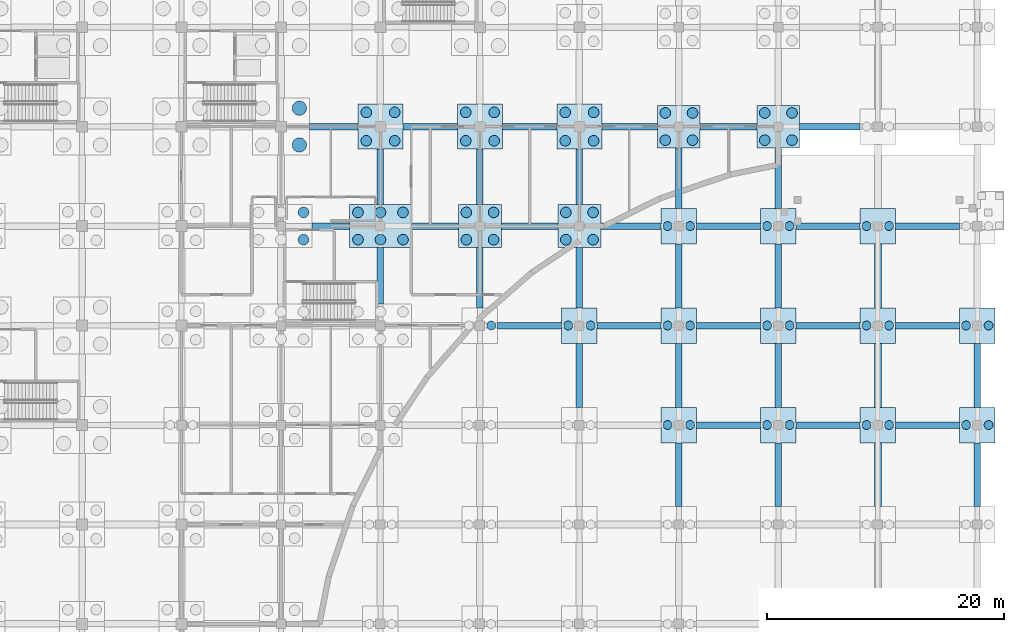
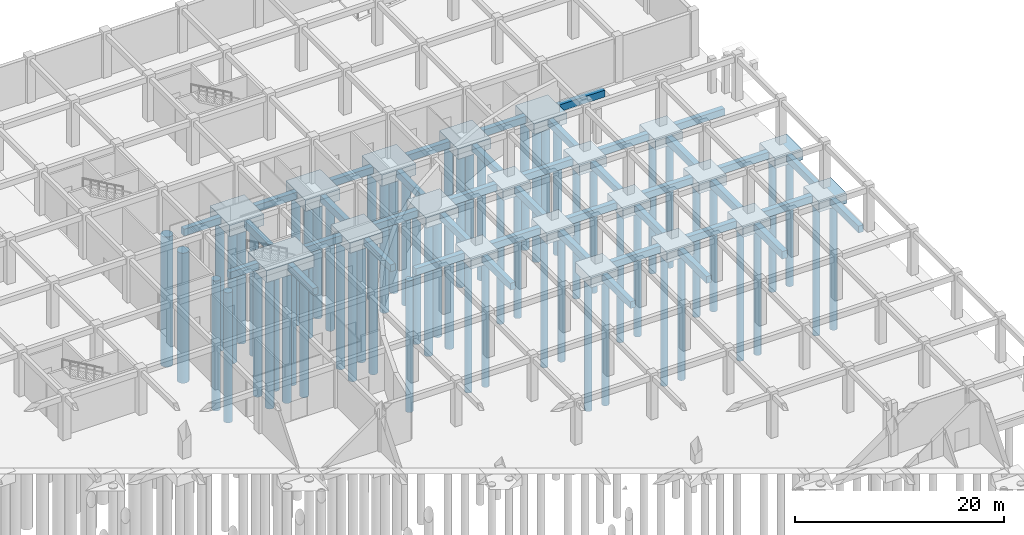
# One storey, part 15 of 65: 63 piles, 61 footings.
"""IFC4 building model written with IfcOpenShell, lengths in metres."""

from ifc_helpers import new_model, si_unit, direction, frame, origin, origin_2d, place, context, subcontext, project, spatial, rectangle, circle, extrude, material, material_profile, profile_set, type_object, element, save


model = new_model("IFC4")

# Units and contexts
model_context = context("Model", 3, precision=1e-05, world=origin(), true_north=direction((0.0, 1.0)))
body_context = subcontext(model_context, "Body", "Model", "MODEL_VIEW")
ifc_project = project(units=[si_unit("LENGTHUNIT", "METRE"), si_unit("AREAUNIT", "SQUARE_METRE"), si_unit("VOLUMEUNIT", "CUBIC_METRE"), si_unit("PLANEANGLEUNIT", "RADIAN"), si_unit("MASSUNIT", "GRAM", prefix="KILO")], contexts=[model_context])

# Site, building, storey
site_placement = place(None, origin())
site = spatial("IfcSite", under=ifc_project, at=site_placement, CompositionType="ELEMENT")
building_placement = place(site_placement, origin())
building = spatial("IfcBuilding", under=site, at=building_placement, Name="Bramfleet General Hospital", CompositionType="ELEMENT")
storey_placement = place(building_placement, frame((0.0, 0.0, -5.39990234375)))
storey = spatial("IfcBuildingStorey", under=building, at=storey_placement, Name="B1", CompositionType="ELEMENT", Elevation=-5.39990234375)

# Footings
ifc_material = material(Name="Concrete C35/45", Category="concrete")
ifc_material_profile_1 = material_profile(ifc_material, rectangle(XDim=0.550048828125, YDim=0.800048828125, at=origin_2d()), Name="RC FB 800x550")
ifc_profile_set_1 = profile_set([ifc_material_profile_1], Name="Concrete C35/45")
footing_type_1 = type_object("IfcFootingType", Name="FTG-FB-01", PredefinedType="FOOTING_BEAM", material=ifc_profile_set_1)
footing_1_placement = place(storey_placement, frame((128.60009765625, 84.0, -0.900146484375), z_axis=(1.0, 0.0, 0.0), x_axis=(0.0, 1.0, 0.0)))
element("IfcFooting", 1, at=footing_1_placement, inside=storey, type_object=footing_type_1, Name="Foundation Tie Beam X 15-10", PredefinedType="FOOTING_BEAM", context=body_context, shape_type="SweptSolid", body=[
    extrude(rectangle(XDim=0.550048828125, YDim=0.800048828125, at=origin_2d()), origin(), (0.0, 0.0, 1.0), 3.199951171875),
])
footing_2_placement = place(storey_placement, frame((128.39990234375, 92.39990234375, -0.900146484375), z_axis=(1.0, 0.0, 0.0), x_axis=(0.0, 1.0, 0.0)))
element("IfcFooting", 2, at=footing_2_placement, inside=storey, type_object=footing_type_1, Name="Foundation Tie Beam X 15-11", PredefinedType="FOOTING_BEAM", context=body_context, shape_type="SweptSolid", body=[
    extrude(rectangle(XDim=0.550048828125, YDim=0.800048828125, at=origin_2d()), origin(), (0.0, 0.0, 1.0), 4.10009765625),
])
footing_3_placement = place(storey_placement, frame((134.39990234375, 77.39990234375, -0.900146484375), z_axis=(0.0, 1.0, 0.0), x_axis=(-1.0, 0.0, 0.0)))
element("IfcFooting", 3, at=footing_3_placement, inside=storey, type_object=footing_type_1, Name="Foundation Tie Beam Y 16-09", PredefinedType="FOOTING_BEAM", context=body_context, shape_type="SweptSolid", body=[
    extrude(rectangle(XDim=0.550048828125, YDim=0.800048828125, at=origin_2d()), origin(), (0.0, 0.0, 1.0), 4.800048828125),
])
footing_4_placement = place(storey_placement, frame((137.0, 84.0, -0.900146484375), z_axis=(1.0, 0.0, 0.0), x_axis=(0.0, 1.0, 0.0)))
element("IfcFooting", 4, at=footing_4_placement, inside=storey, type_object=footing_type_1, Name="Foundation Tie Beam X 16-10", PredefinedType="FOOTING_BEAM", context=body_context, shape_type="SweptSolid", body=[
    extrude(rectangle(XDim=0.550048828125, YDim=0.800048828125, at=origin_2d()), origin(), (0.0, 0.0, 1.0), 4.0),
])
footing_5_placement = place(storey_placement, frame((134.39990234375, 85.800048828125, -0.900146484375), z_axis=(0.0, 1.0, 0.0), x_axis=(-1.0, 0.0, 0.0)))
element("IfcFooting", 5, at=footing_5_placement, inside=storey, type_object=footing_type_1, Name="Foundation Tie Beam Y 16-10", PredefinedType="FOOTING_BEAM", context=body_context, shape_type="SweptSolid", body=[
    extrude(rectangle(XDim=0.550048828125, YDim=0.800048828125, at=origin_2d()), origin(), (0.0, 0.0, 1.0), 4.699951171875),
])
footing_6_placement = place(storey_placement, frame((136.300048828125, 92.39990234375, -0.900146484375), z_axis=(1.0, 0.0, 0.0), x_axis=(0.0, 1.0, 0.0)))
element("IfcFooting", 6, at=footing_6_placement, inside=storey, type_object=footing_type_1, Name="Foundation Tie Beam X 16-11", PredefinedType="FOOTING_BEAM", context=body_context, shape_type="SweptSolid", body=[
    extrude(rectangle(XDim=0.550048828125, YDim=0.800048828125, at=origin_2d()), origin(), (0.0, 0.0, 1.0), 4.599853515625),
])
footing_7_placement = place(storey_placement, frame((144.300048828125, 75.60009765625, -0.900146484375), z_axis=(1.0, 0.0, 0.0), x_axis=(0.0, 1.0, 0.0)))
element("IfcFooting", 7, at=footing_7_placement, inside=storey, type_object=footing_type_1, Name="Foundation Tie Beam X 17-09", PredefinedType="FOOTING_BEAM", context=body_context, shape_type="SweptSolid", body=[
    extrude(rectangle(XDim=0.550048828125, YDim=0.800048828125, at=origin_2d()), origin(), (0.0, 0.0, 1.0), 5.39990234375),
])
footing_8_placement = place(storey_placement, frame((142.800048828125, 77.10009765625, -0.900146484375), z_axis=(0.0, 1.0, 0.0), x_axis=(-1.0, 0.0, 0.0)))
element("IfcFooting", 8, at=footing_8_placement, inside=storey, type_object=footing_type_1, Name="Foundation Tie Beam Y 17-09", PredefinedType="FOOTING_BEAM", context=body_context, shape_type="SweptSolid", body=[
    extrude(rectangle(XDim=0.550048828125, YDim=0.800048828125, at=origin_2d()), origin(), (0.0, 0.0, 1.0), 5.099853515625),
])
footing_9_placement = place(storey_placement, frame((144.60009765625, 84.0, -0.900146484375), z_axis=(1.0, 0.0, 0.0), x_axis=(0.0, 1.0, 0.0)))
element("IfcFooting", 9, at=footing_9_placement, inside=storey, type_object=footing_type_1, Name="Foundation Tie Beam X 17-10", PredefinedType="FOOTING_BEAM", context=body_context, shape_type="SweptSolid", body=[
    extrude(rectangle(XDim=0.550048828125, YDim=0.800048828125, at=origin_2d()), origin(), (0.0, 0.0, 1.0), 4.7998046875),
])
footing_10_placement = place(storey_placement, frame((142.800048828125, 85.800048828125, -0.900146484375), z_axis=(0.0, 1.0, 0.0), x_axis=(-1.0, 0.0, 0.0)))
element("IfcFooting", 10, at=footing_10_placement, inside=storey, type_object=footing_type_1, Name="Foundation Tie Beam Y 17-10", PredefinedType="FOOTING_BEAM", context=body_context, shape_type="SweptSolid", body=[
    extrude(rectangle(XDim=0.550048828125, YDim=0.800048828125, at=origin_2d()), origin(), (0.0, 0.0, 1.0), 4.699951171875),
])
footing_11_placement = place(storey_placement, frame((144.699951171875, 92.39990234375, -0.900146484375), z_axis=(1.0, 0.0, 0.0), x_axis=(0.0, 1.0, 0.0)))
element("IfcFooting", 11, at=footing_11_placement, inside=storey, type_object=footing_type_1, Name="Foundation Tie Beam X 17-11", PredefinedType="FOOTING_BEAM", context=body_context, shape_type="SweptSolid", body=[
    extrude(rectangle(XDim=0.550048828125, YDim=0.800048828125, at=origin_2d()), origin(), (0.0, 0.0, 1.0), 4.60009765625),
])
for number, where, z_axis, x_axis, name in (
    (12, (151.199951171875, 68.699951171875, -0.900146484375), (0.0, 1.0, 0.0), (-1.0, 0.0, 0.0), "Foundation Tie Beam Y 18-08"),
    (13, (152.699951171875, 75.60009765625, -0.900146484375), (1.0, 0.0, 0.0), (0.0, 1.0, 0.0), "Foundation Tie Beam X 18-09"),
):
    element("IfcFooting", number, at=place(storey_placement, frame(where, z_axis=z_axis, x_axis=x_axis)), inside=storey, type_object=footing_type_1, Name=name, PredefinedType="FOOTING_BEAM", context=body_context, shape_type="SweptSolid", body=[
        extrude(rectangle(XDim=0.550048828125, YDim=0.800048828125, at=origin_2d()), origin(), (0.0, 0.0, 1.0), 5.400146484375),
    ])
footing_12_placement = place(storey_placement, frame((151.199951171875, 77.10009765625, -0.900146484375), z_axis=(0.0, 1.0, 0.0), x_axis=(-1.0, 0.0, 0.0)))
element("IfcFooting", 14, at=footing_12_placement, inside=storey, type_object=footing_type_1, Name="Foundation Tie Beam Y 18-09", PredefinedType="FOOTING_BEAM", context=body_context, shape_type="SweptSolid", body=[
    extrude(rectangle(XDim=0.550048828125, YDim=0.800048828125, at=origin_2d()), origin(), (0.0, 0.0, 1.0), 5.099853515625),
])
footing_13_placement = place(storey_placement, frame((153.0, 84.0, -0.900146484375), z_axis=(1.0, 0.0, 0.0), x_axis=(0.0, 1.0, 0.0)))
element("IfcFooting", 15, at=footing_13_placement, inside=storey, type_object=footing_type_1, Name="Foundation Tie Beam X 18-10", PredefinedType="FOOTING_BEAM", context=body_context, shape_type="SweptSolid", body=[
    extrude(rectangle(XDim=0.550048828125, YDim=0.800048828125, at=origin_2d()), origin(), (0.0, 0.0, 1.0), 5.10009765625),
])
for number, where, z_axis, x_axis, name in (
    (16, (151.199951171875, 85.800048828125, -0.900146484375), (0.0, 1.0, 0.0), (-1.0, 0.0, 0.0), "Foundation Tie Beam Y 18-10"),
    (17, (153.10009765625, 92.39990234375, -0.900146484375), (1.0, 0.0, 0.0), (0.0, 1.0, 0.0), "Foundation Tie Beam X 18-11"),
):
    element("IfcFooting", number, at=place(storey_placement, frame(where, z_axis=z_axis, x_axis=x_axis)), inside=storey, type_object=footing_type_1, Name=name, PredefinedType="FOOTING_BEAM", context=body_context, shape_type="SweptSolid", body=[
        extrude(rectangle(XDim=0.550048828125, YDim=0.800048828125, at=origin_2d()), origin(), (0.0, 0.0, 1.0), 4.699951171875),
    ])
for number, where, z_axis, x_axis, name in (
    (18, (159.60009765625, 60.300048828125, -0.900146484375), (0.0, 1.0, 0.0), (-1.0, 0.0, 0.0), "Foundation Tie Beam Y 19-07"),
    (19, (161.10009765625, 67.199951171875, -0.900146484375), (1.0, 0.0, 0.0), (0.0, 1.0, 0.0), "Foundation Tie Beam X 19-08"),
):
    element("IfcFooting", number, at=place(storey_placement, frame(where, z_axis=z_axis, x_axis=x_axis)), inside=storey, type_object=footing_type_1, Name=name, PredefinedType="FOOTING_BEAM", context=body_context, shape_type="SweptSolid", body=[
        extrude(rectangle(XDim=0.550048828125, YDim=0.800048828125, at=origin_2d()), origin(), (0.0, 0.0, 1.0), 5.39990234375),
    ])
footing_14_placement = place(storey_placement, frame((159.60009765625, 68.699951171875, -0.900146484375), z_axis=(0.0, 1.0, 0.0), x_axis=(-1.0, 0.0, 0.0)))
element("IfcFooting", 20, at=footing_14_placement, inside=storey, type_object=footing_type_1, Name="Foundation Tie Beam Y 19-08", PredefinedType="FOOTING_BEAM", context=body_context, shape_type="SweptSolid", body=[
    extrude(rectangle(XDim=0.550048828125, YDim=0.800048828125, at=origin_2d()), origin(), (0.0, 0.0, 1.0), 5.400146484375),
])
for number, where, z_axis, x_axis, name in (
    (21, (161.10009765625, 75.60009765625, -0.900146484375), (1.0, 0.0, 0.0), (0.0, 1.0, 0.0), "Foundation Tie Beam X 19-09"),
    (22, (159.60009765625, 77.10009765625, -0.900146484375), (0.0, 1.0, 0.0), (-1.0, 0.0, 0.0), "Foundation Tie Beam Y 19-09"),
    (23, (161.10009765625, 84.0, -0.900146484375), (1.0, 0.0, 0.0), (0.0, 1.0, 0.0), "Foundation Tie Beam X 19-10"),
):
    element("IfcFooting", number, at=place(storey_placement, frame(where, z_axis=z_axis, x_axis=x_axis)), inside=storey, type_object=footing_type_1, Name=name, PredefinedType="FOOTING_BEAM", context=body_context, shape_type="SweptSolid", body=[
        extrude(rectangle(XDim=0.550048828125, YDim=0.800048828125, at=origin_2d()), origin(), (0.0, 0.0, 1.0), 5.39990234375),
    ])
footing_15_placement = place(storey_placement, frame((159.60009765625, 85.5, -0.900146484375), z_axis=(0.0, 1.0, 0.0), x_axis=(-1.0, 0.0, 0.0)))
element("IfcFooting", 24, at=footing_15_placement, inside=storey, type_object=footing_type_1, Name="Foundation Tie Beam Y 19-10", PredefinedType="FOOTING_BEAM", context=body_context, shape_type="SweptSolid", body=[
    extrude(rectangle(XDim=0.550048828125, YDim=0.800048828125, at=origin_2d()), origin(), (0.0, 0.0, 1.0), 5.10009765625),
])
footing_16_placement = place(storey_placement, frame((161.39990234375, 92.39990234375, -0.900146484375), z_axis=(1.0, 0.0, 0.0), x_axis=(0.0, 1.0, 0.0)))
element("IfcFooting", 25, at=footing_16_placement, inside=storey, type_object=footing_type_1, Name="Foundation Tie Beam X 19-11", PredefinedType="FOOTING_BEAM", context=body_context, shape_type="SweptSolid", body=[
    extrude(rectangle(XDim=0.550048828125, YDim=0.800048828125, at=origin_2d()), origin(), (0.0, 0.0, 1.0), 4.800048828125),
])
for number, where, z_axis, x_axis, name in (
    (26, (168.0, 60.300048828125, -0.900146484375), (0.0, 1.0, 0.0), (-1.0, 0.0, 0.0), "Foundation Tie Beam Y 20-07"),
    (27, (169.5, 67.199951171875, -0.900146484375), (1.0, 0.0, 0.0), (0.0, 1.0, 0.0), "Foundation Tie Beam X 20-08"),
):
    element("IfcFooting", number, at=place(storey_placement, frame(where, z_axis=z_axis, x_axis=x_axis)), inside=storey, type_object=footing_type_1, Name=name, PredefinedType="FOOTING_BEAM", context=body_context, shape_type="SweptSolid", body=[
        extrude(rectangle(XDim=0.550048828125, YDim=0.800048828125, at=origin_2d()), origin(), (0.0, 0.0, 1.0), 5.39990234375),
    ])
footing_17_placement = place(storey_placement, frame((168.0, 68.699951171875, -0.900146484375), z_axis=(0.0, 1.0, 0.0), x_axis=(-1.0, 0.0, 0.0)))
element("IfcFooting", 28, at=footing_17_placement, inside=storey, type_object=footing_type_1, Name="Foundation Tie Beam Y 20-08", PredefinedType="FOOTING_BEAM", context=body_context, shape_type="SweptSolid", body=[
    extrude(rectangle(XDim=0.550048828125, YDim=0.800048828125, at=origin_2d()), origin(), (0.0, 0.0, 1.0), 5.400146484375),
])
for number, where, z_axis, x_axis, name in (
    (29, (169.5, 75.60009765625, -0.900146484375), (1.0, 0.0, 0.0), (0.0, 1.0, 0.0), "Foundation Tie Beam X 20-09"),
    (30, (168.0, 77.10009765625, -0.900146484375), (0.0, 1.0, 0.0), (-1.0, 0.0, 0.0), "Foundation Tie Beam Y 20-09"),
    (31, (169.5, 84.0, -0.900146484375), (1.0, 0.0, 0.0), (0.0, 1.0, 0.0), "Foundation Tie Beam X 20-10"),
):
    element("IfcFooting", number, at=place(storey_placement, frame(where, z_axis=z_axis, x_axis=x_axis)), inside=storey, type_object=footing_type_1, Name=name, PredefinedType="FOOTING_BEAM", context=body_context, shape_type="SweptSolid", body=[
        extrude(rectangle(XDim=0.550048828125, YDim=0.800048828125, at=origin_2d()), origin(), (0.0, 0.0, 1.0), 5.39990234375),
    ])
footing_18_placement = place(storey_placement, frame((168.0, 85.5, -0.900146484375), z_axis=(0.0, 1.0, 0.0), x_axis=(-1.0, 0.0, 0.0)))
element("IfcFooting", 32, at=footing_18_placement, inside=storey, type_object=footing_type_1, Name="Foundation Tie Beam Y 20-10", PredefinedType="FOOTING_BEAM", context=body_context, shape_type="SweptSolid", body=[
    extrude(rectangle(XDim=0.550048828125, YDim=0.800048828125, at=origin_2d()), origin(), (0.0, 0.0, 1.0), 5.10009765625),
])
footing_19_placement = place(storey_placement, frame((169.800048828125, 92.39990234375, -0.900146484375), z_axis=(1.0, 0.0, 0.0), x_axis=(0.0, 1.0, 0.0)))
element("IfcFooting", 33, at=footing_19_placement, inside=storey, type_object=footing_type_1, Name="Foundation Tie Beam X 20-11", PredefinedType="FOOTING_BEAM", context=body_context, shape_type="SweptSolid", body=[
    extrude(rectangle(XDim=0.550048828125, YDim=0.800048828125, at=origin_2d()), origin(), (0.0, 0.0, 1.0), 5.099853515625),
])
for number, where, z_axis, x_axis, name in (
    (34, (177.89990234375, 67.199951171875, -0.900146484375), (1.0, 0.0, 0.0), (0.0, 1.0, 0.0), "Foundation Tie Beam X 21-08"),
    (35, (177.89990234375, 75.60009765625, -0.900146484375), (1.0, 0.0, 0.0), (0.0, 1.0, 0.0), "Foundation Tie Beam X 21-09"),
    (36, (177.89990234375, 84.0, -0.900146484375), (1.0, 0.0, 0.0), (0.0, 1.0, 0.0), "Foundation Tie Beam X 21-10"),
):
    element("IfcFooting", number, at=place(storey_placement, frame(where, z_axis=z_axis, x_axis=x_axis)), inside=storey, type_object=footing_type_1, Name=name, PredefinedType="FOOTING_BEAM", context=body_context, shape_type="SweptSolid", body=[
        extrude(rectangle(XDim=0.550048828125, YDim=0.800048828125, at=origin_2d()), origin(), (0.0, 0.0, 1.0), 5.400146484375),
    ])
footing_20_placement = place(storey_placement, frame((184.800048828125, 60.300048828125, -0.900146484375), z_axis=(0.0, 1.0, 0.0), x_axis=(-1.0, 0.0, 0.0)))
element("IfcFooting", 37, at=footing_20_placement, inside=storey, type_object=footing_type_1, Name="Foundation Tie Beam Y 22-07", PredefinedType="FOOTING_BEAM", context=body_context, shape_type="SweptSolid", body=[
    extrude(rectangle(XDim=0.550048828125, YDim=0.800048828125, at=origin_2d()), origin(), (0.0, 0.0, 1.0), 5.39990234375),
])
footing_21_placement = place(storey_placement, frame((184.800048828125, 68.699951171875, -0.900146484375), z_axis=(0.0, 1.0, 0.0), x_axis=(-1.0, 0.0, 0.0)))
element("IfcFooting", 38, at=footing_21_placement, inside=storey, type_object=footing_type_1, Name="Foundation Tie Beam Y 22-08", PredefinedType="FOOTING_BEAM", context=body_context, shape_type="SweptSolid", body=[
    extrude(rectangle(XDim=0.550048828125, YDim=0.800048828125, at=origin_2d()), origin(), (0.0, 0.0, 1.0), 5.400146484375),
])
ifc_material_profile_2 = material_profile(ifc_material, rectangle(XDim=0.60009765625, YDim=0.89990234375, at=origin_2d()), Name="RC FB 900x600")
ifc_profile_set_2 = profile_set([ifc_material_profile_2], Name="Concrete C35/45")
footing_type_2 = type_object("IfcFootingType", Name="FTG-FB-02", PredefinedType="FOOTING_BEAM", material=ifc_profile_set_2)
footing_22_placement = place(storey_placement, frame((176.39990234375, 60.300048828125, -0.9501953125), z_axis=(0.0, 1.0, 0.0), x_axis=(-1.0, 0.0, 0.0)))
element("IfcFooting", 39, at=footing_22_placement, inside=storey, type_object=footing_type_2, Name="Foundation Tie Beam Y 21-07", PredefinedType="FOOTING_BEAM", context=body_context, shape_type="SweptSolid", body=[
    extrude(rectangle(XDim=0.60009765625, YDim=0.89990234375, at=origin_2d()), origin(), (0.0, 0.0, 1.0), 5.39990234375),
])
footing_23_placement = place(storey_placement, frame((176.39990234375, 68.699951171875, -0.9501953125), z_axis=(0.0, 1.0, 0.0), x_axis=(-1.0, 0.0, 0.0)))
element("IfcFooting", 40, at=footing_23_placement, inside=storey, type_object=footing_type_2, Name="Foundation Tie Beam Y 21-08", PredefinedType="FOOTING_BEAM", context=body_context, shape_type="SweptSolid", body=[
    extrude(rectangle(XDim=0.60009765625, YDim=0.89990234375, at=origin_2d()), origin(), (0.0, 0.0, 1.0), 5.400146484375),
])
footing_24_placement = place(storey_placement, frame((176.39990234375, 77.10009765625, -0.9501953125), z_axis=(0.0, 1.0, 0.0), x_axis=(-1.0, 0.0, 0.0)))
element("IfcFooting", 41, at=footing_24_placement, inside=storey, type_object=footing_type_2, Name="Foundation Tie Beam Y 21-09", PredefinedType="FOOTING_BEAM", context=body_context, shape_type="SweptSolid", body=[
    extrude(rectangle(XDim=0.60009765625, YDim=0.89990234375, at=origin_2d()), origin(), (0.0, 0.0, 1.0), 5.39990234375),
])
footing_type_3 = type_object("IfcFootingType", Name="FTG-PC-01", PredefinedType="PILE_CAP", material=ifc_material)
for number, where, z_axis, x_axis, name in (
    (42, (151.199951171875, 75.60009765625, -1.7001953125), (0.0, 0.0, 1.0), (1.0, 0.0, 0.0), "Pile Cap FTG-B1-18-09"),
    (43, (159.60009765625, 67.199951171875, -1.7001953125), (0.0, 0.0, 1.0), (1.0, 0.0, 0.0), "Pile Cap FTG-B1-19-08"),
    (44, (159.60009765625, 75.60009765625, -1.7001953125), (0.0, 0.0, 1.0), (1.0, 0.0, 0.0), "Pile Cap FTG-B1-19-09"),
    (45, (159.60009765625, 84.0, -1.7001953125), (0.0, 0.0, 1.0), (1.0, 0.0, 0.0), "Pile Cap FTG-B1-19-10"),
    (46, (168.0, 67.199951171875, -1.7001953125), (0.0, 0.0, 1.0), (1.0, 0.0, 0.0), "Pile Cap FTG-B1-20-08"),
    (47, (168.0, 75.60009765625, -1.7001953125), (0.0, 0.0, 1.0), (1.0, 0.0, 0.0), "Pile Cap FTG-B1-20-09"),
    (48, (168.0, 84.0, -1.7001953125), (0.0, 0.0, 1.0), (1.0, 0.0, 0.0), "Pile Cap FTG-B1-20-10"),
    (49, (176.39990234375, 67.199951171875, -1.7001953125), (0.0, 0.0, 1.0), (1.0, 0.0, 0.0), "Pile Cap FTG-B1-21-08"),
    (50, (176.39990234375, 75.60009765625, -1.7001953125), (0.0, 0.0, 1.0), (1.0, 0.0, 0.0), "Pile Cap FTG-B1-21-09"),
    (51, (176.39990234375, 84.0, -1.7001953125), (0.0, 0.0, 1.0), (1.0, 0.0, 0.0), "Pile Cap FTG-B1-21-10"),
    (52, (184.800048828125, 67.199951171875, -1.7001953125), (0.0, 0.0, 1.0), (1.0, 0.0, 0.0), "Pile Cap FTG-B1-22-08"),
    (53, (184.800048828125, 75.60009765625, -1.7001953125), (0.0, 0.0, 1.0), (1.0, 0.0, 0.0), "Pile Cap FTG-B1-22-09"),
):
    element("IfcFooting", number, at=place(storey_placement, frame(where, z_axis=z_axis, x_axis=x_axis)), inside=storey, type_object=footing_type_3, Name=name, PredefinedType="PILE_CAP", context=body_context, shape_type="SweptSolid", body=[
        extrude(rectangle(XDim=3.0, YDim=3.0, at=origin_2d()), origin(), (0.0, 0.0, 1.0), 1.199951171875),
    ])
footing_type_4 = type_object("IfcFootingType", Name="FTG-PC-03", PredefinedType="PILE_CAP", material=ifc_material)
for number, where, z_axis, x_axis, name in (
    (54, (142.800048828125, 84.0, -1.7001953125), (0.0, 0.0, 1.0), (1.0, 0.0, 0.0), "Pile Cap FTG-B1-17-10"),
    (55, (151.199951171875, 84.0, -1.7001953125), (0.0, 0.0, 1.0), (1.0, 0.0, 0.0), "Pile Cap FTG-B1-18-10"),
    (56, (159.60009765625, 92.39990234375, -1.7001953125), (0.0, 0.0, 1.0), (1.0, 0.0, 0.0), "Pile Cap FTG-B1-19-11"),
    (57, (168.0, 92.39990234375, -1.7001953125), (0.0, 0.0, 1.0), (1.0, 0.0, 0.0), "Pile Cap FTG-B1-20-11"),
):
    element("IfcFooting", number, at=place(storey_placement, frame(where, z_axis=z_axis, x_axis=x_axis)), inside=storey, type_object=footing_type_4, Name=name, PredefinedType="PILE_CAP", context=body_context, shape_type="SweptSolid", body=[
        extrude(rectangle(XDim=3.60009765625, YDim=3.60009765625, at=origin_2d()), origin(), (0.0, 0.0, 1.0), 1.199951171875),
    ])
footing_type_5 = type_object("IfcFootingType", Name="FTG-PC-04", PredefinedType="PILE_CAP", material=ifc_material)
for number, where, z_axis, x_axis, name in (
    (58, (134.39990234375, 92.39990234375, -1.80029296875), (0.0, 0.0, 1.0), (1.0, 0.0, 0.0), "Pile Cap FTG-B1-16-11"),
    (59, (142.800048828125, 92.39990234375, -1.80029296875), (0.0, 0.0, 1.0), (1.0, 0.0, 0.0), "Pile Cap FTG-B1-17-11"),
    (60, (151.199951171875, 92.39990234375, -1.80029296875), (0.0, 0.0, 1.0), (1.0, 0.0, 0.0), "Pile Cap FTG-B1-18-11"),
):
    element("IfcFooting", number, at=place(storey_placement, frame(where, z_axis=z_axis, x_axis=x_axis)), inside=storey, type_object=footing_type_5, Name=name, PredefinedType="PILE_CAP", context=body_context, shape_type="SweptSolid", body=[
        extrude(rectangle(XDim=3.800048828125, YDim=3.800048828125, at=origin_2d()), origin(), (0.0, 0.0, 1.0), 1.300048828125),
    ])
footing_type_6 = type_object("IfcFootingType", Name="FTG-PC-06", PredefinedType="PILE_CAP", material=ifc_material)
footing_25_placement = place(storey_placement, frame((134.39990234375, 84.0, -1.900146484375), z_axis=(0.0, 0.0, 1.0), x_axis=(1.0, 0.0, 0.0)))
element("IfcFooting", 61, at=footing_25_placement, inside=storey, type_object=footing_type_6, Name="Pile Cap FTG-B1-16-10", PredefinedType="PILE_CAP", context=body_context, shape_type="SweptSolid", body=[
    extrude(rectangle(XDim=5.199951171875, YDim=3.60009765625, at=origin_2d()), origin(), (0.0, 0.0, 1.0), 1.39990234375),
])

# Piles
ifc_material_profile_3 = material_profile(ifc_material, circle(Radius=0.60009765625, at=origin_2d()), Name="PILE BORED D1200")
ifc_profile_set_3 = profile_set([ifc_material_profile_3], Name="Concrete C35/45")
pile_type_1 = type_object("IfcPileType", Name="PILE-D1200", PredefinedType="BORED", material=ifc_profile_set_3)
for number, where, z_axis, x_axis, name in (
    (62, (127.550048828125, 90.85009765625, -1.800048828125), (0.0, 0.0, -1.0), (1.0, 0.0, 0.0), "Bored Pile PILE-B1-15-11-2"),
    (63, (127.550048828125, 93.949951171875, -1.800048828125), (0.0, 0.0, -1.0), (1.0, 0.0, 0.0), "Bored Pile PILE-B1-15-11-4"),
):
    element("IfcPile", number, at=place(storey_placement, frame(where, z_axis=z_axis, x_axis=x_axis)), inside=storey, type_object=pile_type_1, Name=name, PredefinedType="BORED", context=body_context, shape_type="SweptSolid", body=[
        extrude(circle(Radius=0.60009765625, at=origin_2d()), origin(), (0.0, 0.0, 1.0), 15.199951171875),
    ])
ifc_material_profile_4 = material_profile(ifc_material, circle(Radius=0.375, at=origin_2d()), Name="PILE BORED D750")
ifc_profile_set_4 = profile_set([ifc_material_profile_4], Name="Concrete C35/45")
pile_type_2 = type_object("IfcPileType", Name="PILE-D750", PredefinedType="BORED", material=ifc_profile_set_4)
for number, where, z_axis, x_axis, name in (
    (64, (143.75, 75.60009765625, -1.60009765625), (0.0, 0.0, -1.0), (1.0, 0.0, 0.0), "Bored Pile PILE-B1-17-09-2"),
    (65, (150.25, 75.60009765625, -1.60009765625), (0.0, 0.0, -1.0), (1.0, 0.0, 0.0), "Bored Pile PILE-B1-18-09-1"),
    (66, (152.14990234375, 75.60009765625, -1.60009765625), (0.0, 0.0, -1.0), (1.0, 0.0, 0.0), "Bored Pile PILE-B1-18-09-2"),
    (67, (158.64990234375, 67.199951171875, -1.60009765625), (0.0, 0.0, -1.0), (1.0, 0.0, 0.0), "Bored Pile PILE-B1-19-08-1"),
    (68, (160.550048828125, 67.199951171875, -1.60009765625), (0.0, 0.0, -1.0), (1.0, 0.0, 0.0), "Bored Pile PILE-B1-19-08-2"),
    (69, (158.64990234375, 75.60009765625, -1.60009765625), (0.0, 0.0, -1.0), (1.0, 0.0, 0.0), "Bored Pile PILE-B1-19-09-1"),
    (70, (160.550048828125, 75.60009765625, -1.60009765625), (0.0, 0.0, -1.0), (1.0, 0.0, 0.0), "Bored Pile PILE-B1-19-09-2"),
    (71, (158.64990234375, 84.0, -1.60009765625), (0.0, 0.0, -1.0), (1.0, 0.0, 0.0), "Bored Pile PILE-B1-19-10-1"),
    (72, (160.550048828125, 84.0, -1.60009765625), (0.0, 0.0, -1.0), (1.0, 0.0, 0.0), "Bored Pile PILE-B1-19-10-2"),
    (73, (167.050048828125, 67.199951171875, -1.60009765625), (0.0, 0.0, -1.0), (1.0, 0.0, 0.0), "Bored Pile PILE-B1-20-08-1"),
    (74, (168.949951171875, 67.199951171875, -1.60009765625), (0.0, 0.0, -1.0), (1.0, 0.0, 0.0), "Bored Pile PILE-B1-20-08-2"),
    (75, (167.050048828125, 75.60009765625, -1.60009765625), (0.0, 0.0, -1.0), (1.0, 0.0, 0.0), "Bored Pile PILE-B1-20-09-1"),
    (76, (168.949951171875, 75.60009765625, -1.60009765625), (0.0, 0.0, -1.0), (1.0, 0.0, 0.0), "Bored Pile PILE-B1-20-09-2"),
    (77, (167.050048828125, 84.0, -1.60009765625), (0.0, 0.0, -1.0), (1.0, 0.0, 0.0), "Bored Pile PILE-B1-20-10-1"),
    (78, (168.949951171875, 84.0, -1.60009765625), (0.0, 0.0, -1.0), (1.0, 0.0, 0.0), "Bored Pile PILE-B1-20-10-2"),
    (79, (175.449951171875, 67.199951171875, -1.60009765625), (0.0, 0.0, -1.0), (1.0, 0.0, 0.0), "Bored Pile PILE-B1-21-08-1"),
    (80, (177.35009765625, 67.199951171875, -1.60009765625), (0.0, 0.0, -1.0), (1.0, 0.0, 0.0), "Bored Pile PILE-B1-21-08-2"),
    (81, (175.449951171875, 75.60009765625, -1.60009765625), (0.0, 0.0, -1.0), (1.0, 0.0, 0.0), "Bored Pile PILE-B1-21-09-1"),
    (82, (177.35009765625, 75.60009765625, -1.60009765625), (0.0, 0.0, -1.0), (1.0, 0.0, 0.0), "Bored Pile PILE-B1-21-09-2"),
    (83, (175.449951171875, 84.0, -1.60009765625), (0.0, 0.0, -1.0), (1.0, 0.0, 0.0), "Bored Pile PILE-B1-21-10-1"),
    (84, (177.35009765625, 84.0, -1.60009765625), (0.0, 0.0, -1.0), (1.0, 0.0, 0.0), "Bored Pile PILE-B1-21-10-2"),
    (85, (183.85009765625, 67.199951171875, -1.60009765625), (0.0, 0.0, -1.0), (1.0, 0.0, 0.0), "Bored Pile PILE-B1-22-08-1"),
    (86, (185.75, 67.199951171875, -1.60009765625), (0.0, 0.0, -1.0), (1.0, 0.0, 0.0), "Bored Pile PILE-B1-22-08-2"),
    (87, (183.85009765625, 75.60009765625, -1.60009765625), (0.0, 0.0, -1.0), (1.0, 0.0, 0.0), "Bored Pile PILE-B1-22-09-1"),
    (88, (185.75, 75.60009765625, -1.60009765625), (0.0, 0.0, -1.0), (1.0, 0.0, 0.0), "Bored Pile PILE-B1-22-09-2"),
):
    element("IfcPile", number, at=place(storey_placement, frame(where, z_axis=z_axis, x_axis=x_axis)), inside=storey, type_object=pile_type_2, Name=name, PredefinedType="BORED", context=body_context, shape_type="SweptSolid", body=[
        extrude(circle(Radius=0.375, at=origin_2d()), origin(), (0.0, 0.0, 1.0), 15.39990234375),
    ])
ifc_material_profile_5 = material_profile(ifc_material, circle(Radius=0.449951171875, at=origin_2d()), Name="PILE BORED D900")
ifc_profile_set_5 = profile_set([ifc_material_profile_5], Name="Concrete C35/45")
pile_type_3 = type_object("IfcPileType", Name="PILE-D900", PredefinedType="BORED", material=ifc_profile_set_5)
for number, where, z_axis, x_axis, name in (
    (89, (127.89990234375, 82.85009765625, -1.800048828125), (0.0, 0.0, -1.0), (1.0, 0.0, 0.0), "Bored Pile PILE-B1-15-10-3"),
    (90, (127.89990234375, 85.14990234375, -1.800048828125), (0.0, 0.0, -1.0), (1.0, 0.0, 0.0), "Bored Pile PILE-B1-15-10-6"),
    (91, (132.5, 82.85009765625, -1.800048828125), (0.0, 0.0, -1.0), (1.0, 0.0, 0.0), "Bored Pile PILE-B1-16-10-1"),
    (92, (134.39990234375, 82.85009765625, -1.800048828125), (0.0, 0.0, -1.0), (1.0, 0.0, 0.0), "Bored Pile PILE-B1-16-10-2"),
    (93, (136.300048828125, 82.85009765625, -1.800048828125), (0.0, 0.0, -1.0), (1.0, 0.0, 0.0), "Bored Pile PILE-B1-16-10-3"),
    (94, (132.5, 85.14990234375, -1.800048828125), (0.0, 0.0, -1.0), (1.0, 0.0, 0.0), "Bored Pile PILE-B1-16-10-4"),
    (95, (134.39990234375, 85.14990234375, -1.800048828125), (0.0, 0.0, -1.0), (1.0, 0.0, 0.0), "Bored Pile PILE-B1-16-10-5"),
    (96, (136.300048828125, 85.14990234375, -1.800048828125), (0.0, 0.0, -1.0), (1.0, 0.0, 0.0), "Bored Pile PILE-B1-16-10-6"),
):
    element("IfcPile", number, at=place(storey_placement, frame(where, z_axis=z_axis, x_axis=x_axis)), inside=storey, type_object=pile_type_3, Name=name, PredefinedType="BORED", context=body_context, shape_type="SweptSolid", body=[
        extrude(circle(Radius=0.449951171875, at=origin_2d()), origin(), (0.0, 0.0, 1.0), 15.199951171875),
    ])
for number, where, z_axis, x_axis, name in (
    (97, (133.199951171875, 91.199951171875, -1.7001953125), (0.0, 0.0, -1.0), (1.0, 0.0, 0.0), "Bored Pile PILE-B1-16-11-1"),
    (98, (135.60009765625, 91.199951171875, -1.7001953125), (0.0, 0.0, -1.0), (1.0, 0.0, 0.0), "Bored Pile PILE-B1-16-11-2"),
    (99, (133.199951171875, 93.60009765625, -1.7001953125), (0.0, 0.0, -1.0), (1.0, 0.0, 0.0), "Bored Pile PILE-B1-16-11-3"),
    (100, (135.60009765625, 93.60009765625, -1.7001953125), (0.0, 0.0, -1.0), (1.0, 0.0, 0.0), "Bored Pile PILE-B1-16-11-4"),
):
    element("IfcPile", number, at=place(storey_placement, frame(where, z_axis=z_axis, x_axis=x_axis)), inside=storey, type_object=pile_type_3, Name=name, PredefinedType="BORED", context=body_context, shape_type="SweptSolid", body=[
        extrude(circle(Radius=0.449951171875, at=origin_2d()), origin(), (0.0, 0.0, 1.0), 15.300048828125),
    ])
for number, where, z_axis, x_axis, name in (
    (101, (141.64990234375, 82.85009765625, -1.60009765625), (0.0, 0.0, -1.0), (1.0, 0.0, 0.0), "Bored Pile PILE-B1-17-10-1"),
    (102, (143.949951171875, 82.85009765625, -1.60009765625), (0.0, 0.0, -1.0), (1.0, 0.0, 0.0), "Bored Pile PILE-B1-17-10-2"),
    (103, (141.64990234375, 85.14990234375, -1.60009765625), (0.0, 0.0, -1.0), (1.0, 0.0, 0.0), "Bored Pile PILE-B1-17-10-3"),
    (104, (143.949951171875, 85.14990234375, -1.60009765625), (0.0, 0.0, -1.0), (1.0, 0.0, 0.0), "Bored Pile PILE-B1-17-10-4"),
):
    element("IfcPile", number, at=place(storey_placement, frame(where, z_axis=z_axis, x_axis=x_axis)), inside=storey, type_object=pile_type_3, Name=name, PredefinedType="BORED", context=body_context, shape_type="SweptSolid", body=[
        extrude(circle(Radius=0.449951171875, at=origin_2d()), origin(), (0.0, 0.0, 1.0), 15.39990234375),
    ])
for number, where, z_axis, x_axis, name in (
    (105, (141.60009765625, 91.199951171875, -1.7001953125), (0.0, 0.0, -1.0), (1.0, 0.0, 0.0), "Bored Pile PILE-B1-17-11-1"),
    (106, (144.0, 91.199951171875, -1.7001953125), (0.0, 0.0, -1.0), (1.0, 0.0, 0.0), "Bored Pile PILE-B1-17-11-2"),
    (107, (141.60009765625, 93.60009765625, -1.7001953125), (0.0, 0.0, -1.0), (1.0, 0.0, 0.0), "Bored Pile PILE-B1-17-11-3"),
    (108, (144.0, 93.60009765625, -1.7001953125), (0.0, 0.0, -1.0), (1.0, 0.0, 0.0), "Bored Pile PILE-B1-17-11-4"),
):
    element("IfcPile", number, at=place(storey_placement, frame(where, z_axis=z_axis, x_axis=x_axis)), inside=storey, type_object=pile_type_3, Name=name, PredefinedType="BORED", context=body_context, shape_type="SweptSolid", body=[
        extrude(circle(Radius=0.449951171875, at=origin_2d()), origin(), (0.0, 0.0, 1.0), 15.300048828125),
    ])
for number, where, z_axis, x_axis, name in (
    (109, (150.050048828125, 82.85009765625, -1.60009765625), (0.0, 0.0, -1.0), (1.0, 0.0, 0.0), "Bored Pile PILE-B1-18-10-1"),
    (110, (152.35009765625, 82.85009765625, -1.60009765625), (0.0, 0.0, -1.0), (1.0, 0.0, 0.0), "Bored Pile PILE-B1-18-10-2"),
    (111, (150.050048828125, 85.14990234375, -1.60009765625), (0.0, 0.0, -1.0), (1.0, 0.0, 0.0), "Bored Pile PILE-B1-18-10-3"),
    (112, (152.35009765625, 85.14990234375, -1.60009765625), (0.0, 0.0, -1.0), (1.0, 0.0, 0.0), "Bored Pile PILE-B1-18-10-4"),
):
    element("IfcPile", number, at=place(storey_placement, frame(where, z_axis=z_axis, x_axis=x_axis)), inside=storey, type_object=pile_type_3, Name=name, PredefinedType="BORED", context=body_context, shape_type="SweptSolid", body=[
        extrude(circle(Radius=0.449951171875, at=origin_2d()), origin(), (0.0, 0.0, 1.0), 15.39990234375),
    ])
for number, where, z_axis, x_axis, name in (
    (113, (150.0, 91.199951171875, -1.7001953125), (0.0, 0.0, -1.0), (1.0, 0.0, 0.0), "Bored Pile PILE-B1-18-11-1"),
    (114, (152.39990234375, 91.199951171875, -1.7001953125), (0.0, 0.0, -1.0), (1.0, 0.0, 0.0), "Bored Pile PILE-B1-18-11-2"),
    (115, (150.0, 93.60009765625, -1.7001953125), (0.0, 0.0, -1.0), (1.0, 0.0, 0.0), "Bored Pile PILE-B1-18-11-3"),
    (116, (152.39990234375, 93.60009765625, -1.7001953125), (0.0, 0.0, -1.0), (1.0, 0.0, 0.0), "Bored Pile PILE-B1-18-11-4"),
):
    element("IfcPile", number, at=place(storey_placement, frame(where, z_axis=z_axis, x_axis=x_axis)), inside=storey, type_object=pile_type_3, Name=name, PredefinedType="BORED", context=body_context, shape_type="SweptSolid", body=[
        extrude(circle(Radius=0.449951171875, at=origin_2d()), origin(), (0.0, 0.0, 1.0), 15.300048828125),
    ])
for number, where, z_axis, x_axis, name in (
    (117, (158.449951171875, 91.25, -1.60009765625), (0.0, 0.0, -1.0), (1.0, 0.0, 0.0), "Bored Pile PILE-B1-19-11-1"),
    (118, (160.75, 91.25, -1.60009765625), (0.0, 0.0, -1.0), (1.0, 0.0, 0.0), "Bored Pile PILE-B1-19-11-2"),
    (119, (158.449951171875, 93.550048828125, -1.60009765625), (0.0, 0.0, -1.0), (1.0, 0.0, 0.0), "Bored Pile PILE-B1-19-11-3"),
    (120, (160.75, 93.550048828125, -1.60009765625), (0.0, 0.0, -1.0), (1.0, 0.0, 0.0), "Bored Pile PILE-B1-19-11-4"),
    (121, (166.85009765625, 91.25, -1.60009765625), (0.0, 0.0, -1.0), (1.0, 0.0, 0.0), "Bored Pile PILE-B1-20-11-1"),
    (122, (169.14990234375, 91.25, -1.60009765625), (0.0, 0.0, -1.0), (1.0, 0.0, 0.0), "Bored Pile PILE-B1-20-11-2"),
    (123, (166.85009765625, 93.550048828125, -1.60009765625), (0.0, 0.0, -1.0), (1.0, 0.0, 0.0), "Bored Pile PILE-B1-20-11-3"),
    (124, (169.14990234375, 93.550048828125, -1.60009765625), (0.0, 0.0, -1.0), (1.0, 0.0, 0.0), "Bored Pile PILE-B1-20-11-4"),
):
    element("IfcPile", number, at=place(storey_placement, frame(where, z_axis=z_axis, x_axis=x_axis)), inside=storey, type_object=pile_type_3, Name=name, PredefinedType="BORED", context=body_context, shape_type="SweptSolid", body=[
        extrude(circle(Radius=0.449951171875, at=origin_2d()), origin(), (0.0, 0.0, 1.0), 15.39990234375),
    ])

save(model, "model.ifc")
